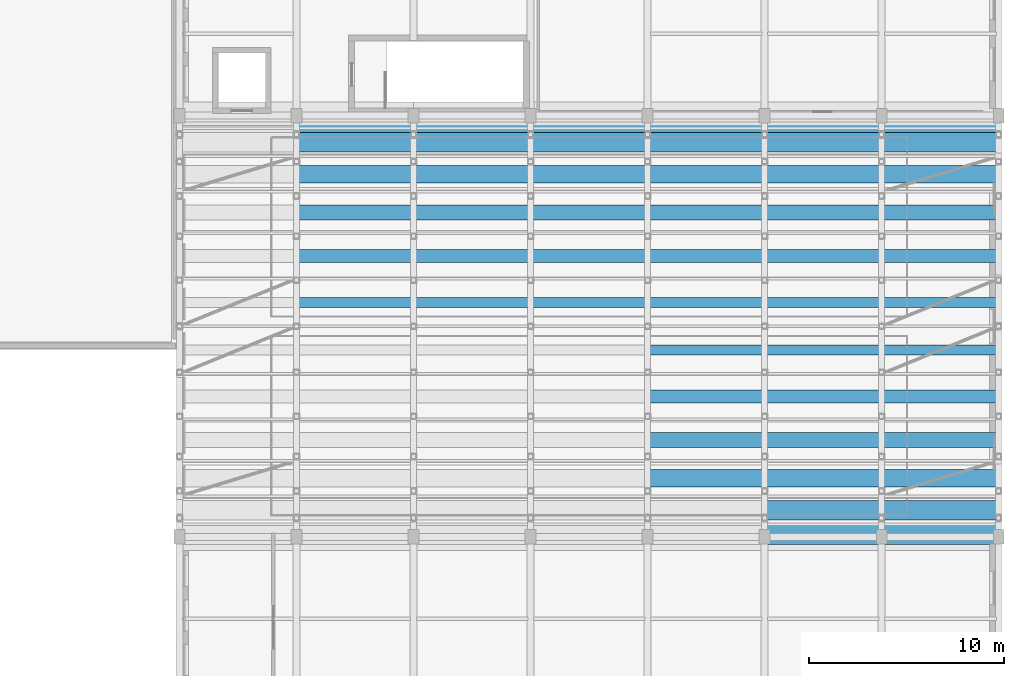
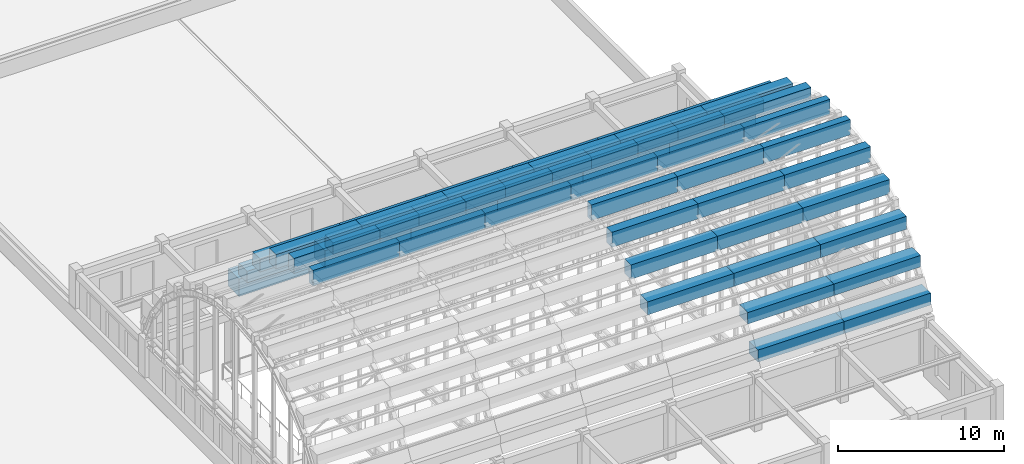
# One storey, part 29 of 46: 52 discrete accessories.
"""IFC4 building model written with IfcOpenShell, lengths in metres."""

import ifcopenshell
import ifcopenshell.guid

model = None  # the IFC model being written
_history = None  # IfcOwnerHistory: only IFC2X3 demands one
_inside = {}  # id of a spatial element -> (the spatial element, [elements in it])
_under = {}  # id of a project, library or spatial element -> (it, [spatial elements below it])
_declared = {}  # id of a project -> (the project, [libraries it declares])
_typed = {}  # id of a type object -> (the type object, [elements of that type])
_made_of = {}  # id of a material, layer set ... -> (it, [elements and type objects made of it])


def new_model(schema):
    """Start an empty IFC model of exactly this schema.

    Asked for "IFC4X3", IfcOpenShell would pick the latest addendum, in which some entities
    have other attributes; the version numbers below select the first issue.
    IFC2X3 requires an IfcOwnerHistory on every rooted entity: one is made here for all.
    """
    global model, _history
    if schema == "IFC4X3":
        model = ifcopenshell.file(schema_version=(4, 3, 0, 0))
    else:
        model = ifcopenshell.file(schema=schema)
    _inside.clear()
    _under.clear()
    _declared.clear()
    _typed.clear()
    _made_of.clear()
    _history = None
    if model.schema == "IFC2X3":
        org = make("IfcOrganization", Name="unknown")
        user = make(
            "IfcPersonAndOrganization",
            ThePerson=make("IfcPerson", FamilyName="unknown"),
            TheOrganization=org,
        )
        app = make(
            "IfcApplication",
            ApplicationDeveloper=org,
            Version="unknown",
            ApplicationFullName="unknown",
            ApplicationIdentifier="unknown",
        )
        _history = make(
            "IfcOwnerHistory",
            OwningUser=user,
            OwningApplication=app,
            ChangeAction="ADDED",
            CreationDate=0,
        )
    return model


def make(cls, **values):
    """One entity of the class cls with the attributes given. An attribute that is None is left unset."""
    return model.create_entity(
        cls, **{name: value for name, value in values.items() if value is not None}
    )


def rooted(cls, **values):
    """An entity with a GlobalId (a new one), such as an element, a storey or a relation."""
    return make(cls, GlobalId=ifcopenshell.guid.new(), OwnerHistory=_history, **values)


def si_unit(unit_type, name, prefix=None):
    """IfcSIUnit, for example si_unit("LENGTHUNIT", "METRE", prefix="MILLI")."""
    return make("IfcSIUnit", UnitType=unit_type, Prefix=prefix, Name=name)


def assignment(units):
    """IfcUnitAssignment: the units of a project."""
    return None if units is None else make("IfcUnitAssignment", Units=units)


def point(xyz):
    """IfcCartesianPoint."""
    return None if xyz is None else make("IfcCartesianPoint", Coordinates=xyz)


def direction(xyz):
    """IfcDirection."""
    return None if xyz is None else make("IfcDirection", DirectionRatios=xyz)


def frame(location, z_axis=None, x_axis=None):
    """IfcAxis2Placement3D, a coordinate frame: its origin and axes. An axis left out is left unset."""
    return make(
        "IfcAxis2Placement3D",
        Location=point(location),
        Axis=direction(z_axis),
        RefDirection=direction(x_axis),
    )


def frame_2d(location, x_axis=None):
    """IfcAxis2Placement2D, a coordinate frame in the plane: its origin and x axis."""
    return make(
        "IfcAxis2Placement2D", Location=point(location), RefDirection=direction(x_axis)
    )


def origin():
    """The frame at (0, 0, 0) with its axes left unset."""
    return frame((0.0, 0.0, 0.0))


def origin_2d():
    """The frame at (0, 0) in the plane with its x axis left unset."""
    return frame_2d((0.0, 0.0))


def place(relative_to, where):
    """IfcLocalPlacement: puts the frame where relative to a parent placement (None: the world)."""
    return make(
        "IfcLocalPlacement", PlacementRelTo=relative_to, RelativePlacement=where
    )


def context(
    kind, dimensions, precision=None, world=None, true_north=None, identifier=None
):
    """IfcGeometricRepresentationContext, for example the 3D "Model" context."""
    return make(
        "IfcGeometricRepresentationContext",
        ContextIdentifier=identifier,
        ContextType=kind,
        CoordinateSpaceDimension=dimensions,
        Precision=precision,
        WorldCoordinateSystem=world,
        TrueNorth=true_north,
    )


def subcontext(parent, identifier, kind, view, scale=None):
    """IfcGeometricRepresentationSubContext, for example "Body" below "Model"."""
    return make(
        "IfcGeometricRepresentationSubContext",
        ContextIdentifier=identifier,
        ContextType=kind,
        ParentContext=parent,
        TargetScale=scale,
        TargetView=view,
    )


def project(units=None, contexts=None):
    """IfcProject with its units and contexts."""
    return rooted(
        "IfcProject",
        Name="project",
        RepresentationContexts=contexts,
        UnitsInContext=assignment(units),
    )


def spatial(cls, under=None, at=None, **own):
    """A site, building, storey or space (cls), placed at a placement, below another one or the project."""
    s = rooted(cls, ObjectPlacement=at, **own)
    if under is not None:
        _under.setdefault(under.id(), (under, []))[1].append(s)
    return s


def profile(cls, at=None, kind="AREA", **sizes):
    """A parametric profile (cls). Its sizes go by their IFC names, for example OverallWidth=200.0."""
    return make(cls, ProfileType=kind, Position=at, **sizes)


def rectangle(**sizes):
    """IfcRectangleProfileDef."""
    return profile("IfcRectangleProfileDef", **sizes)


def extrude(swept, where, along, depth):
    """IfcExtrudedAreaSolid: the profile swept, set in the frame where, extruded along a direction by depth."""
    return make(
        "IfcExtrudedAreaSolid",
        SweptArea=swept,
        Position=where,
        ExtrudedDirection=direction(along),
        Depth=depth,
    )


def shape(context_of_items, identifier, shape_type, items):
    """IfcShapeRepresentation: the items that make up one representation, for example the "Body"."""
    return make(
        "IfcShapeRepresentation",
        ContextOfItems=context_of_items,
        RepresentationIdentifier=identifier,
        RepresentationType=shape_type,
        Items=items,
    )


def material(Name=None, Category=None):
    """IfcMaterial."""
    return make("IfcMaterial", Name=Name, Category=Category)


def made_of(thing, what):
    """Note that an element or type object is made of a material, layer set ...; save() writes the relation."""
    if what is not None:
        _made_of.setdefault(what.id(), (what, []))[1].append(thing)
    return thing


def type_object(cls, material=None, **own):
    """A type object (cls), such as IfcWallType, which elements share."""
    return made_of(rooted(cls, **own), material)


def element(
    cls,
    number,
    at=None,
    inside=None,
    cuts=None,
    type_object=None,
    material=None,
    context=None,
    identifier="Body",
    shape_type=None,
    held_by="IfcProductDefinitionShape",
    body=None,
    shapes=None,
    **own,
):
    """One element of the class cls, such as IfcWall. Its Tag is "e" and its number.

    at: its placement. inside: the storey or other place that contains it. cuts: it is an
    opening in that element (IfcRelVoidsElement). A single representation is given by context,
    identifier, shape_type and body (its items); several are given by shapes. held_by: the class
    of the entity that holds the representations. save() writes the other relations.
    """
    e = rooted(cls, Tag="e%d" % number, ObjectPlacement=at, **own)
    if body is not None:
        shapes = [shape(context, identifier, shape_type, body)]
    if shapes is not None:
        e.Representation = make(held_by, Representations=shapes)
    if inside is not None:
        _inside.setdefault(inside.id(), (inside, []))[1].append(e)
    if cuts is not None:
        rooted(
            "IfcRelVoidsElement", RelatingBuildingElement=cuts, RelatedOpeningElement=e
        )
    if type_object is not None:
        _typed.setdefault(type_object.id(), (type_object, []))[1].append(e)
    return made_of(e, material)


def aggregate(whole, parts):
    """IfcRelAggregates: a whole, such as a stair, and the parts it consists of."""
    return rooted("IfcRelAggregates", RelatingObject=whole, RelatedObjects=parts)


def save(model, path):
    """Write the relations noted so far, then the file.

    IfcRelAggregates (storeys below a building ...), IfcRelContainedInSpatialStructure (elements
    in a storey), IfcRelDefinesByType, IfcRelAssociatesMaterial and IfcRelDeclares: one each for
    every whole, place, type object, material and project.
    """
    for whole, parts in _under.values():
        aggregate(whole, parts)
    for where, things in _inside.values():
        rooted(
            "IfcRelContainedInSpatialStructure",
            RelatedElements=things,
            RelatingStructure=where,
        )
    for kind, things in _typed.values():
        rooted("IfcRelDefinesByType", RelatedObjects=things, RelatingType=kind)
    for what, things in _made_of.values():
        rooted("IfcRelAssociatesMaterial", RelatedObjects=things, RelatingMaterial=what)
    for by, libraries in _declared.values():
        rooted("IfcRelDeclares", RelatingContext=by, RelatedDefinitions=libraries)
    model.write(path)


model = new_model("IFC4")

# Units and contexts
model_context = context("Model", 3, precision=1e-05, world=origin(), true_north=direction((0.0, 1.0)))
body_context = subcontext(model_context, "Body", "Model", "MODEL_VIEW")
ifc_project = project(units=[si_unit("LENGTHUNIT", "METRE"), si_unit("AREAUNIT", "SQUARE_METRE"), si_unit("VOLUMEUNIT", "CUBIC_METRE"), si_unit("PLANEANGLEUNIT", "RADIAN"), si_unit("MASSUNIT", "GRAM", prefix="KILO")], contexts=[model_context])

# Site, building, storey
site_placement = place(None, origin())
site = spatial("IfcSite", under=ifc_project, at=site_placement, CompositionType="ELEMENT")
building_placement = place(site_placement, origin())
building = spatial("IfcBuilding", under=site, at=building_placement, Name="Tarnavel Promenade Courthouse", CompositionType="ELEMENT")
storey_placement = place(building_placement, frame((0.0, 0.0, 14.39990234375)))
storey = spatial("IfcBuildingStorey", under=building, at=storey_placement, Name="L04", CompositionType="ELEMENT", Elevation=14.39990234375)

# Discrete accessories
ifc_material = material(Name="Steel S355J2", Category="steel")
discrete_accessory_type = type_object("IfcDiscreteAccessoryType", Name="Steel S355J2 Structural Connection Bracket", PredefinedType="BRACKET", material=ifc_material)
discrete_accessory_1_placement = place(storey_placement, frame((129.0, 49.21875, 11.716064453125), z_axis=(0.0, 0.0, 1.0), x_axis=(1.0, 0.0, 0.0)))
element("IfcDiscreteAccessory", 1, at=discrete_accessory_1_placement, inside=storey, type_object=discrete_accessory_type, Name="V1 Vault Panel Cleat Assembly 02-07", PredefinedType="BRACKET", context=body_context, shape_type="SweptSolid", body=[
    extrude(rectangle(XDim=6.0400390625, YDim=0.495849609375, at=origin_2d()), origin(), (0.0, 0.0, 1.0), 1.14208984375),
])
discrete_accessory_2_placement = place(storey_placement, frame((129.0, 51.602783203125, 11.224853515625), z_axis=(0.0, 0.0, 1.0), x_axis=(1.0, 0.0, 0.0)))
element("IfcDiscreteAccessory", 2, at=discrete_accessory_2_placement, inside=storey, type_object=discrete_accessory_type, Name="V1 Vault Panel Cleat Assembly 02-08", PredefinedType="BRACKET", context=body_context, shape_type="SweptSolid", body=[
    extrude(rectangle(XDim=6.0400390625, YDim=0.644287109375, at=origin_2d()), origin(), (0.0, 0.0, 1.0), 1.1103515625),
])
discrete_accessory_3_placement = place(storey_placement, frame((129.0, 53.8291015625, 10.26416015625), z_axis=(0.0, 0.0, 1.0), x_axis=(1.0, 0.0, 0.0)))
element("IfcDiscreteAccessory", 3, at=discrete_accessory_3_placement, inside=storey, type_object=discrete_accessory_type, Name="V1 Vault Panel Cleat Assembly 02-09", PredefinedType="BRACKET", context=body_context, shape_type="SweptSolid", body=[
    extrude(rectangle(XDim=6.0400390625, YDim=0.783203125, at=origin_2d()), origin(), (0.0, 0.0, 1.0), 1.048583984375),
])
discrete_accessory_4_placement = place(storey_placement, frame((129.0, 55.80078125, 8.875732421875), z_axis=(0.0, 0.0, 1.0), x_axis=(1.0, 0.0, 0.0)))
element("IfcDiscreteAccessory", 4, at=discrete_accessory_4_placement, inside=storey, type_object=discrete_accessory_type, Name="V1 Vault Panel Cleat Assembly 02-10", PredefinedType="BRACKET", context=body_context, shape_type="SweptSolid", body=[
    extrude(rectangle(XDim=6.0400390625, YDim=0.906005859375, at=origin_2d()), origin(), (0.0, 0.0, 1.0), 0.95947265625),
])
discrete_accessory_5_placement = place(storey_placement, frame((129.0, 57.43115234375, 7.120361328125), z_axis=(0.0, 0.0, 1.0), x_axis=(1.0, 0.0, 0.0)))
element("IfcDiscreteAccessory", 5, at=discrete_accessory_5_placement, inside=storey, type_object=discrete_accessory_type, Name="V1 Vault Panel Cleat Assembly 02-11", PredefinedType="BRACKET", context=body_context, shape_type="SweptSolid", body=[
    extrude(rectangle(XDim=6.0400390625, YDim=1.007568359375, at=origin_2d()), origin(), (0.0, 0.0, 1.0), 0.8466796875),
])
discrete_accessory_6_placement = place(storey_placement, frame((129.0, 58.568115234375, 5.517333984375), z_axis=(0.0, 0.0, 1.0), x_axis=(1.0, 0.0, 0.0)))
element("IfcDiscreteAccessory", 6, at=discrete_accessory_6_placement, inside=storey, type_object=discrete_accessory_type, Name="V1 Vault Eave Panel Cleat 02", PredefinedType="BRACKET", context=body_context, shape_type="SweptSolid", body=[
    extrude(rectangle(XDim=6.0400390625, YDim=1.305419921875, at=origin_2d()), origin(), (0.0, 0.0, 1.0), 1.27734375),
])
discrete_accessory_7_placement = place(storey_placement, frame((135.0, 49.21875, 11.716064453125), z_axis=(0.0, 0.0, 1.0), x_axis=(1.0, 0.0, 0.0)))
element("IfcDiscreteAccessory", 7, at=discrete_accessory_7_placement, inside=storey, type_object=discrete_accessory_type, Name="V1 Vault Panel Cleat Assembly 03-07", PredefinedType="BRACKET", context=body_context, shape_type="SweptSolid", body=[
    extrude(rectangle(XDim=6.0400390625, YDim=0.495849609375, at=origin_2d()), origin(), (0.0, 0.0, 1.0), 1.14208984375),
])
discrete_accessory_8_placement = place(storey_placement, frame((135.0, 51.602783203125, 11.224853515625), z_axis=(0.0, 0.0, 1.0), x_axis=(1.0, 0.0, 0.0)))
element("IfcDiscreteAccessory", 8, at=discrete_accessory_8_placement, inside=storey, type_object=discrete_accessory_type, Name="V1 Vault Panel Cleat Assembly 03-08", PredefinedType="BRACKET", context=body_context, shape_type="SweptSolid", body=[
    extrude(rectangle(XDim=6.0400390625, YDim=0.644287109375, at=origin_2d()), origin(), (0.0, 0.0, 1.0), 1.1103515625),
])
discrete_accessory_9_placement = place(storey_placement, frame((135.0, 53.8291015625, 10.26416015625), z_axis=(0.0, 0.0, 1.0), x_axis=(1.0, 0.0, 0.0)))
element("IfcDiscreteAccessory", 9, at=discrete_accessory_9_placement, inside=storey, type_object=discrete_accessory_type, Name="V1 Vault Panel Cleat Assembly 03-09", PredefinedType="BRACKET", context=body_context, shape_type="SweptSolid", body=[
    extrude(rectangle(XDim=6.0400390625, YDim=0.783203125, at=origin_2d()), origin(), (0.0, 0.0, 1.0), 1.048583984375),
])
discrete_accessory_10_placement = place(storey_placement, frame((135.0, 55.80078125, 8.875732421875), z_axis=(0.0, 0.0, 1.0), x_axis=(1.0, 0.0, 0.0)))
element("IfcDiscreteAccessory", 10, at=discrete_accessory_10_placement, inside=storey, type_object=discrete_accessory_type, Name="V1 Vault Panel Cleat Assembly 03-10", PredefinedType="BRACKET", context=body_context, shape_type="SweptSolid", body=[
    extrude(rectangle(XDim=6.0400390625, YDim=0.906005859375, at=origin_2d()), origin(), (0.0, 0.0, 1.0), 0.95947265625),
])
discrete_accessory_11_placement = place(storey_placement, frame((135.0, 57.43115234375, 7.120361328125), z_axis=(0.0, 0.0, 1.0), x_axis=(1.0, 0.0, 0.0)))
element("IfcDiscreteAccessory", 11, at=discrete_accessory_11_placement, inside=storey, type_object=discrete_accessory_type, Name="V1 Vault Panel Cleat Assembly 03-11", PredefinedType="BRACKET", context=body_context, shape_type="SweptSolid", body=[
    extrude(rectangle(XDim=6.0400390625, YDim=1.007568359375, at=origin_2d()), origin(), (0.0, 0.0, 1.0), 0.8466796875),
])
discrete_accessory_12_placement = place(storey_placement, frame((135.0, 58.568115234375, 5.517333984375), z_axis=(0.0, 0.0, 1.0), x_axis=(1.0, 0.0, 0.0)))
element("IfcDiscreteAccessory", 12, at=discrete_accessory_12_placement, inside=storey, type_object=discrete_accessory_type, Name="V1 Vault Eave Panel Cleat 03", PredefinedType="BRACKET", context=body_context, shape_type="SweptSolid", body=[
    extrude(rectangle(XDim=6.0400390625, YDim=1.305419921875, at=origin_2d()), origin(), (0.0, 0.0, 1.0), 1.27734375),
])
discrete_accessory_13_placement = place(storey_placement, frame((141.0, 49.21875, 11.716064453125), z_axis=(0.0, 0.0, 1.0), x_axis=(1.0, 0.0, 0.0)))
element("IfcDiscreteAccessory", 13, at=discrete_accessory_13_placement, inside=storey, type_object=discrete_accessory_type, Name="V1 Vault Panel Cleat Assembly 04-07", PredefinedType="BRACKET", context=body_context, shape_type="SweptSolid", body=[
    extrude(rectangle(XDim=6.0400390625, YDim=0.495849609375, at=origin_2d()), origin(), (0.0, 0.0, 1.0), 1.14208984375),
])
discrete_accessory_14_placement = place(storey_placement, frame((141.0, 51.602783203125, 11.224853515625), z_axis=(0.0, 0.0, 1.0), x_axis=(1.0, 0.0, 0.0)))
element("IfcDiscreteAccessory", 14, at=discrete_accessory_14_placement, inside=storey, type_object=discrete_accessory_type, Name="V1 Vault Panel Cleat Assembly 04-08", PredefinedType="BRACKET", context=body_context, shape_type="SweptSolid", body=[
    extrude(rectangle(XDim=6.0400390625, YDim=0.644287109375, at=origin_2d()), origin(), (0.0, 0.0, 1.0), 1.1103515625),
])
discrete_accessory_15_placement = place(storey_placement, frame((141.0, 53.8291015625, 10.26416015625), z_axis=(0.0, 0.0, 1.0), x_axis=(1.0, 0.0, 0.0)))
element("IfcDiscreteAccessory", 15, at=discrete_accessory_15_placement, inside=storey, type_object=discrete_accessory_type, Name="V1 Vault Panel Cleat Assembly 04-09", PredefinedType="BRACKET", context=body_context, shape_type="SweptSolid", body=[
    extrude(rectangle(XDim=6.0400390625, YDim=0.783203125, at=origin_2d()), origin(), (0.0, 0.0, 1.0), 1.048583984375),
])
discrete_accessory_16_placement = place(storey_placement, frame((141.0, 55.80078125, 8.875732421875), z_axis=(0.0, 0.0, 1.0), x_axis=(1.0, 0.0, 0.0)))
element("IfcDiscreteAccessory", 16, at=discrete_accessory_16_placement, inside=storey, type_object=discrete_accessory_type, Name="V1 Vault Panel Cleat Assembly 04-10", PredefinedType="BRACKET", context=body_context, shape_type="SweptSolid", body=[
    extrude(rectangle(XDim=6.0400390625, YDim=0.906005859375, at=origin_2d()), origin(), (0.0, 0.0, 1.0), 0.95947265625),
])
discrete_accessory_17_placement = place(storey_placement, frame((141.0, 57.43115234375, 7.120361328125), z_axis=(0.0, 0.0, 1.0), x_axis=(1.0, 0.0, 0.0)))
element("IfcDiscreteAccessory", 17, at=discrete_accessory_17_placement, inside=storey, type_object=discrete_accessory_type, Name="V1 Vault Panel Cleat Assembly 04-11", PredefinedType="BRACKET", context=body_context, shape_type="SweptSolid", body=[
    extrude(rectangle(XDim=6.0400390625, YDim=1.007568359375, at=origin_2d()), origin(), (0.0, 0.0, 1.0), 0.8466796875),
])
discrete_accessory_18_placement = place(storey_placement, frame((141.0, 58.568115234375, 5.517333984375), z_axis=(0.0, 0.0, 1.0), x_axis=(1.0, 0.0, 0.0)))
element("IfcDiscreteAccessory", 18, at=discrete_accessory_18_placement, inside=storey, type_object=discrete_accessory_type, Name="V1 Vault Eave Panel Cleat 04", PredefinedType="BRACKET", context=body_context, shape_type="SweptSolid", body=[
    extrude(rectangle(XDim=6.0400390625, YDim=1.305419921875, at=origin_2d()), origin(), (0.0, 0.0, 1.0), 1.27734375),
])
discrete_accessory_19_placement = place(storey_placement, frame((147.0, 40.19921875, 8.875732421875), z_axis=(0.0, 0.0, 1.0), x_axis=(1.0, 0.0, 0.0)))
element("IfcDiscreteAccessory", 19, at=discrete_accessory_19_placement, inside=storey, type_object=discrete_accessory_type, Name="V1 Vault Panel Cleat Assembly 05-03", PredefinedType="BRACKET", context=body_context, shape_type="SweptSolid", body=[
    extrude(rectangle(XDim=6.0400390625, YDim=0.906005859375, at=origin_2d()), origin(), (0.0, 0.0, 1.0), 0.95947265625),
])
discrete_accessory_20_placement = place(storey_placement, frame((147.0, 42.1708984375, 10.26416015625), z_axis=(0.0, 0.0, 1.0), x_axis=(1.0, 0.0, 0.0)))
element("IfcDiscreteAccessory", 20, at=discrete_accessory_20_placement, inside=storey, type_object=discrete_accessory_type, Name="V1 Vault Panel Cleat Assembly 05-04", PredefinedType="BRACKET", context=body_context, shape_type="SweptSolid", body=[
    extrude(rectangle(XDim=6.0400390625, YDim=0.783203125, at=origin_2d()), origin(), (0.0, 0.0, 1.0), 1.048583984375),
])
discrete_accessory_21_placement = place(storey_placement, frame((147.0, 44.397216796875, 11.224853515625), z_axis=(0.0, 0.0, 1.0), x_axis=(1.0, 0.0, 0.0)))
element("IfcDiscreteAccessory", 21, at=discrete_accessory_21_placement, inside=storey, type_object=discrete_accessory_type, Name="V1 Vault Panel Cleat Assembly 05-05", PredefinedType="BRACKET", context=body_context, shape_type="SweptSolid", body=[
    extrude(rectangle(XDim=6.0400390625, YDim=0.644287109375, at=origin_2d()), origin(), (0.0, 0.0, 1.0), 1.1103515625),
])
for number, where, z_axis, x_axis, name in (
    (22, (147.0, 46.78125, 11.716064453125), (0.0, 0.0, 1.0), (1.0, 0.0, 0.0), "V1 Vault Panel Cleat Assembly 05-06"),
    (23, (147.0, 49.21875, 11.716064453125), (0.0, 0.0, 1.0), (1.0, 0.0, 0.0), "V1 Vault Panel Cleat Assembly 05-07"),
):
    element("IfcDiscreteAccessory", number, at=place(storey_placement, frame(where, z_axis=z_axis, x_axis=x_axis)), inside=storey, type_object=discrete_accessory_type, Name=name, PredefinedType="BRACKET", context=body_context, shape_type="SweptSolid", body=[
        extrude(rectangle(XDim=6.0400390625, YDim=0.495849609375, at=origin_2d()), origin(), (0.0, 0.0, 1.0), 1.14208984375),
    ])
discrete_accessory_22_placement = place(storey_placement, frame((147.0, 51.602783203125, 11.224853515625), z_axis=(0.0, 0.0, 1.0), x_axis=(1.0, 0.0, 0.0)))
element("IfcDiscreteAccessory", 24, at=discrete_accessory_22_placement, inside=storey, type_object=discrete_accessory_type, Name="V1 Vault Panel Cleat Assembly 05-08", PredefinedType="BRACKET", context=body_context, shape_type="SweptSolid", body=[
    extrude(rectangle(XDim=6.0400390625, YDim=0.644287109375, at=origin_2d()), origin(), (0.0, 0.0, 1.0), 1.1103515625),
])
discrete_accessory_23_placement = place(storey_placement, frame((147.0, 53.8291015625, 10.26416015625), z_axis=(0.0, 0.0, 1.0), x_axis=(1.0, 0.0, 0.0)))
element("IfcDiscreteAccessory", 25, at=discrete_accessory_23_placement, inside=storey, type_object=discrete_accessory_type, Name="V1 Vault Panel Cleat Assembly 05-09", PredefinedType="BRACKET", context=body_context, shape_type="SweptSolid", body=[
    extrude(rectangle(XDim=6.0400390625, YDim=0.783203125, at=origin_2d()), origin(), (0.0, 0.0, 1.0), 1.048583984375),
])
discrete_accessory_24_placement = place(storey_placement, frame((147.0, 55.80078125, 8.875732421875), z_axis=(0.0, 0.0, 1.0), x_axis=(1.0, 0.0, 0.0)))
element("IfcDiscreteAccessory", 26, at=discrete_accessory_24_placement, inside=storey, type_object=discrete_accessory_type, Name="V1 Vault Panel Cleat Assembly 05-10", PredefinedType="BRACKET", context=body_context, shape_type="SweptSolid", body=[
    extrude(rectangle(XDim=6.0400390625, YDim=0.906005859375, at=origin_2d()), origin(), (0.0, 0.0, 1.0), 0.95947265625),
])
discrete_accessory_25_placement = place(storey_placement, frame((147.0, 57.43115234375, 7.120361328125), z_axis=(0.0, 0.0, 1.0), x_axis=(1.0, 0.0, 0.0)))
element("IfcDiscreteAccessory", 27, at=discrete_accessory_25_placement, inside=storey, type_object=discrete_accessory_type, Name="V1 Vault Panel Cleat Assembly 05-11", PredefinedType="BRACKET", context=body_context, shape_type="SweptSolid", body=[
    extrude(rectangle(XDim=6.0400390625, YDim=1.007568359375, at=origin_2d()), origin(), (0.0, 0.0, 1.0), 0.8466796875),
])
discrete_accessory_26_placement = place(storey_placement, frame((147.0, 58.568115234375, 5.517333984375), z_axis=(0.0, 0.0, 1.0), x_axis=(1.0, 0.0, 0.0)))
element("IfcDiscreteAccessory", 28, at=discrete_accessory_26_placement, inside=storey, type_object=discrete_accessory_type, Name="V1 Vault Eave Panel Cleat 05", PredefinedType="BRACKET", context=body_context, shape_type="SweptSolid", body=[
    extrude(rectangle(XDim=6.0400390625, YDim=1.305419921875, at=origin_2d()), origin(), (0.0, 0.0, 1.0), 1.27734375),
])
discrete_accessory_27_placement = place(storey_placement, frame((153.0, 37.350830078125, 5.07470703125), z_axis=(0.0, 0.0, 1.0), x_axis=(1.0, 0.0, 0.0)))
element("IfcDiscreteAccessory", 29, at=discrete_accessory_27_placement, inside=storey, type_object=discrete_accessory_type, Name="V1 Vault Panel Cleat Assembly 06-01", PredefinedType="BRACKET", context=body_context, shape_type="SweptSolid", body=[
    extrude(rectangle(XDim=6.0400390625, YDim=1.083251953125, at=origin_2d()), origin(), (0.0, 0.0, 1.0), 0.892333984375),
])
discrete_accessory_28_placement = place(storey_placement, frame((153.0, 38.56884765625, 7.120361328125), z_axis=(0.0, 0.0, 1.0), x_axis=(1.0, 0.0, 0.0)))
element("IfcDiscreteAccessory", 30, at=discrete_accessory_28_placement, inside=storey, type_object=discrete_accessory_type, Name="V1 Vault Panel Cleat Assembly 06-02", PredefinedType="BRACKET", context=body_context, shape_type="SweptSolid", body=[
    extrude(rectangle(XDim=6.0400390625, YDim=1.007568359375, at=origin_2d()), origin(), (0.0, 0.0, 1.0), 0.8466796875),
])
discrete_accessory_29_placement = place(storey_placement, frame((153.0, 40.19921875, 8.875732421875), z_axis=(0.0, 0.0, 1.0), x_axis=(1.0, 0.0, 0.0)))
element("IfcDiscreteAccessory", 31, at=discrete_accessory_29_placement, inside=storey, type_object=discrete_accessory_type, Name="V1 Vault Panel Cleat Assembly 06-03", PredefinedType="BRACKET", context=body_context, shape_type="SweptSolid", body=[
    extrude(rectangle(XDim=6.0400390625, YDim=0.906005859375, at=origin_2d()), origin(), (0.0, 0.0, 1.0), 0.95947265625),
])
discrete_accessory_30_placement = place(storey_placement, frame((153.0, 42.1708984375, 10.26416015625), z_axis=(0.0, 0.0, 1.0), x_axis=(1.0, 0.0, 0.0)))
element("IfcDiscreteAccessory", 32, at=discrete_accessory_30_placement, inside=storey, type_object=discrete_accessory_type, Name="V1 Vault Panel Cleat Assembly 06-04", PredefinedType="BRACKET", context=body_context, shape_type="SweptSolid", body=[
    extrude(rectangle(XDim=6.0400390625, YDim=0.783203125, at=origin_2d()), origin(), (0.0, 0.0, 1.0), 1.048583984375),
])
discrete_accessory_31_placement = place(storey_placement, frame((153.0, 44.397216796875, 11.224853515625), z_axis=(0.0, 0.0, 1.0), x_axis=(1.0, 0.0, 0.0)))
element("IfcDiscreteAccessory", 33, at=discrete_accessory_31_placement, inside=storey, type_object=discrete_accessory_type, Name="V1 Vault Panel Cleat Assembly 06-05", PredefinedType="BRACKET", context=body_context, shape_type="SweptSolid", body=[
    extrude(rectangle(XDim=6.0400390625, YDim=0.644287109375, at=origin_2d()), origin(), (0.0, 0.0, 1.0), 1.1103515625),
])
for number, where, z_axis, x_axis, name in (
    (34, (153.0, 46.78125, 11.716064453125), (0.0, 0.0, 1.0), (1.0, 0.0, 0.0), "V1 Vault Panel Cleat Assembly 06-06"),
    (35, (153.0, 49.21875, 11.716064453125), (0.0, 0.0, 1.0), (1.0, 0.0, 0.0), "V1 Vault Panel Cleat Assembly 06-07"),
):
    element("IfcDiscreteAccessory", number, at=place(storey_placement, frame(where, z_axis=z_axis, x_axis=x_axis)), inside=storey, type_object=discrete_accessory_type, Name=name, PredefinedType="BRACKET", context=body_context, shape_type="SweptSolid", body=[
        extrude(rectangle(XDim=6.0400390625, YDim=0.495849609375, at=origin_2d()), origin(), (0.0, 0.0, 1.0), 1.14208984375),
    ])
discrete_accessory_32_placement = place(storey_placement, frame((153.0, 51.602783203125, 11.224853515625), z_axis=(0.0, 0.0, 1.0), x_axis=(1.0, 0.0, 0.0)))
element("IfcDiscreteAccessory", 36, at=discrete_accessory_32_placement, inside=storey, type_object=discrete_accessory_type, Name="V1 Vault Panel Cleat Assembly 06-08", PredefinedType="BRACKET", context=body_context, shape_type="SweptSolid", body=[
    extrude(rectangle(XDim=6.0400390625, YDim=0.644287109375, at=origin_2d()), origin(), (0.0, 0.0, 1.0), 1.1103515625),
])
discrete_accessory_33_placement = place(storey_placement, frame((153.0, 53.8291015625, 10.26416015625), z_axis=(0.0, 0.0, 1.0), x_axis=(1.0, 0.0, 0.0)))
element("IfcDiscreteAccessory", 37, at=discrete_accessory_33_placement, inside=storey, type_object=discrete_accessory_type, Name="V1 Vault Panel Cleat Assembly 06-09", PredefinedType="BRACKET", context=body_context, shape_type="SweptSolid", body=[
    extrude(rectangle(XDim=6.0400390625, YDim=0.783203125, at=origin_2d()), origin(), (0.0, 0.0, 1.0), 1.048583984375),
])
discrete_accessory_34_placement = place(storey_placement, frame((153.0, 55.80078125, 8.875732421875), z_axis=(0.0, 0.0, 1.0), x_axis=(1.0, 0.0, 0.0)))
element("IfcDiscreteAccessory", 38, at=discrete_accessory_34_placement, inside=storey, type_object=discrete_accessory_type, Name="V1 Vault Panel Cleat Assembly 06-10", PredefinedType="BRACKET", context=body_context, shape_type="SweptSolid", body=[
    extrude(rectangle(XDim=6.0400390625, YDim=0.906005859375, at=origin_2d()), origin(), (0.0, 0.0, 1.0), 0.95947265625),
])
discrete_accessory_35_placement = place(storey_placement, frame((153.0, 57.43115234375, 7.120361328125), z_axis=(0.0, 0.0, 1.0), x_axis=(1.0, 0.0, 0.0)))
element("IfcDiscreteAccessory", 39, at=discrete_accessory_35_placement, inside=storey, type_object=discrete_accessory_type, Name="V1 Vault Panel Cleat Assembly 06-11", PredefinedType="BRACKET", context=body_context, shape_type="SweptSolid", body=[
    extrude(rectangle(XDim=6.0400390625, YDim=1.007568359375, at=origin_2d()), origin(), (0.0, 0.0, 1.0), 0.8466796875),
])
discrete_accessory_36_placement = place(storey_placement, frame((153.0, 58.568115234375, 5.517333984375), z_axis=(0.0, 0.0, 1.0), x_axis=(1.0, 0.0, 0.0)))
element("IfcDiscreteAccessory", 40, at=discrete_accessory_36_placement, inside=storey, type_object=discrete_accessory_type, Name="V1 Vault Eave Panel Cleat 06", PredefinedType="BRACKET", context=body_context, shape_type="SweptSolid", body=[
    extrude(rectangle(XDim=6.0400390625, YDim=1.305419921875, at=origin_2d()), origin(), (0.0, 0.0, 1.0), 1.27734375),
])
discrete_accessory_37_placement = place(storey_placement, frame((159.0, 37.350830078125, 5.07470703125), z_axis=(0.0, 0.0, 1.0), x_axis=(1.0, 0.0, 0.0)))
element("IfcDiscreteAccessory", 41, at=discrete_accessory_37_placement, inside=storey, type_object=discrete_accessory_type, Name="V1 Vault Panel Cleat Assembly 07-01", PredefinedType="BRACKET", context=body_context, shape_type="SweptSolid", body=[
    extrude(rectangle(XDim=6.0400390625, YDim=1.083251953125, at=origin_2d()), origin(), (0.0, 0.0, 1.0), 0.892333984375),
])
discrete_accessory_38_placement = place(storey_placement, frame((159.0, 38.56884765625, 7.120361328125), z_axis=(0.0, 0.0, 1.0), x_axis=(1.0, 0.0, 0.0)))
element("IfcDiscreteAccessory", 42, at=discrete_accessory_38_placement, inside=storey, type_object=discrete_accessory_type, Name="V1 Vault Panel Cleat Assembly 07-02", PredefinedType="BRACKET", context=body_context, shape_type="SweptSolid", body=[
    extrude(rectangle(XDim=6.0400390625, YDim=1.007568359375, at=origin_2d()), origin(), (0.0, 0.0, 1.0), 0.8466796875),
])
discrete_accessory_39_placement = place(storey_placement, frame((159.0, 40.19921875, 8.875732421875), z_axis=(0.0, 0.0, 1.0), x_axis=(1.0, 0.0, 0.0)))
element("IfcDiscreteAccessory", 43, at=discrete_accessory_39_placement, inside=storey, type_object=discrete_accessory_type, Name="V1 Vault Panel Cleat Assembly 07-03", PredefinedType="BRACKET", context=body_context, shape_type="SweptSolid", body=[
    extrude(rectangle(XDim=6.0400390625, YDim=0.906005859375, at=origin_2d()), origin(), (0.0, 0.0, 1.0), 0.95947265625),
])
discrete_accessory_40_placement = place(storey_placement, frame((159.0, 42.1708984375, 10.26416015625), z_axis=(0.0, 0.0, 1.0), x_axis=(1.0, 0.0, 0.0)))
element("IfcDiscreteAccessory", 44, at=discrete_accessory_40_placement, inside=storey, type_object=discrete_accessory_type, Name="V1 Vault Panel Cleat Assembly 07-04", PredefinedType="BRACKET", context=body_context, shape_type="SweptSolid", body=[
    extrude(rectangle(XDim=6.0400390625, YDim=0.783203125, at=origin_2d()), origin(), (0.0, 0.0, 1.0), 1.048583984375),
])
discrete_accessory_41_placement = place(storey_placement, frame((159.0, 44.397216796875, 11.224853515625), z_axis=(0.0, 0.0, 1.0), x_axis=(1.0, 0.0, 0.0)))
element("IfcDiscreteAccessory", 45, at=discrete_accessory_41_placement, inside=storey, type_object=discrete_accessory_type, Name="V1 Vault Panel Cleat Assembly 07-05", PredefinedType="BRACKET", context=body_context, shape_type="SweptSolid", body=[
    extrude(rectangle(XDim=6.0400390625, YDim=0.644287109375, at=origin_2d()), origin(), (0.0, 0.0, 1.0), 1.1103515625),
])
for number, where, z_axis, x_axis, name in (
    (46, (159.0, 46.78125, 11.716064453125), (0.0, 0.0, 1.0), (1.0, 0.0, 0.0), "V1 Vault Panel Cleat Assembly 07-06"),
    (47, (159.0, 49.21875, 11.716064453125), (0.0, 0.0, 1.0), (1.0, 0.0, 0.0), "V1 Vault Panel Cleat Assembly 07-07"),
):
    element("IfcDiscreteAccessory", number, at=place(storey_placement, frame(where, z_axis=z_axis, x_axis=x_axis)), inside=storey, type_object=discrete_accessory_type, Name=name, PredefinedType="BRACKET", context=body_context, shape_type="SweptSolid", body=[
        extrude(rectangle(XDim=6.0400390625, YDim=0.495849609375, at=origin_2d()), origin(), (0.0, 0.0, 1.0), 1.14208984375),
    ])
discrete_accessory_42_placement = place(storey_placement, frame((159.0, 51.602783203125, 11.224853515625), z_axis=(0.0, 0.0, 1.0), x_axis=(1.0, 0.0, 0.0)))
element("IfcDiscreteAccessory", 48, at=discrete_accessory_42_placement, inside=storey, type_object=discrete_accessory_type, Name="V1 Vault Panel Cleat Assembly 07-08", PredefinedType="BRACKET", context=body_context, shape_type="SweptSolid", body=[
    extrude(rectangle(XDim=6.0400390625, YDim=0.644287109375, at=origin_2d()), origin(), (0.0, 0.0, 1.0), 1.1103515625),
])
discrete_accessory_43_placement = place(storey_placement, frame((159.0, 53.8291015625, 10.26416015625), z_axis=(0.0, 0.0, 1.0), x_axis=(1.0, 0.0, 0.0)))
element("IfcDiscreteAccessory", 49, at=discrete_accessory_43_placement, inside=storey, type_object=discrete_accessory_type, Name="V1 Vault Panel Cleat Assembly 07-09", PredefinedType="BRACKET", context=body_context, shape_type="SweptSolid", body=[
    extrude(rectangle(XDim=6.0400390625, YDim=0.783203125, at=origin_2d()), origin(), (0.0, 0.0, 1.0), 1.048583984375),
])
discrete_accessory_44_placement = place(storey_placement, frame((159.0, 55.80078125, 8.875732421875), z_axis=(0.0, 0.0, 1.0), x_axis=(1.0, 0.0, 0.0)))
element("IfcDiscreteAccessory", 50, at=discrete_accessory_44_placement, inside=storey, type_object=discrete_accessory_type, Name="V1 Vault Panel Cleat Assembly 07-10", PredefinedType="BRACKET", context=body_context, shape_type="SweptSolid", body=[
    extrude(rectangle(XDim=6.0400390625, YDim=0.906005859375, at=origin_2d()), origin(), (0.0, 0.0, 1.0), 0.95947265625),
])
discrete_accessory_45_placement = place(storey_placement, frame((159.0, 57.43115234375, 7.120361328125), z_axis=(0.0, 0.0, 1.0), x_axis=(1.0, 0.0, 0.0)))
element("IfcDiscreteAccessory", 51, at=discrete_accessory_45_placement, inside=storey, type_object=discrete_accessory_type, Name="V1 Vault Panel Cleat Assembly 07-11", PredefinedType="BRACKET", context=body_context, shape_type="SweptSolid", body=[
    extrude(rectangle(XDim=6.0400390625, YDim=1.007568359375, at=origin_2d()), origin(), (0.0, 0.0, 1.0), 0.8466796875),
])
discrete_accessory_46_placement = place(storey_placement, frame((159.0, 58.568115234375, 5.517333984375), z_axis=(0.0, 0.0, 1.0), x_axis=(1.0, 0.0, 0.0)))
element("IfcDiscreteAccessory", 52, at=discrete_accessory_46_placement, inside=storey, type_object=discrete_accessory_type, Name="V1 Vault Eave Panel Cleat 07", PredefinedType="BRACKET", context=body_context, shape_type="SweptSolid", body=[
    extrude(rectangle(XDim=6.0400390625, YDim=1.305419921875, at=origin_2d()), origin(), (0.0, 0.0, 1.0), 1.27734375),
])

save(model, "model.ifc")
